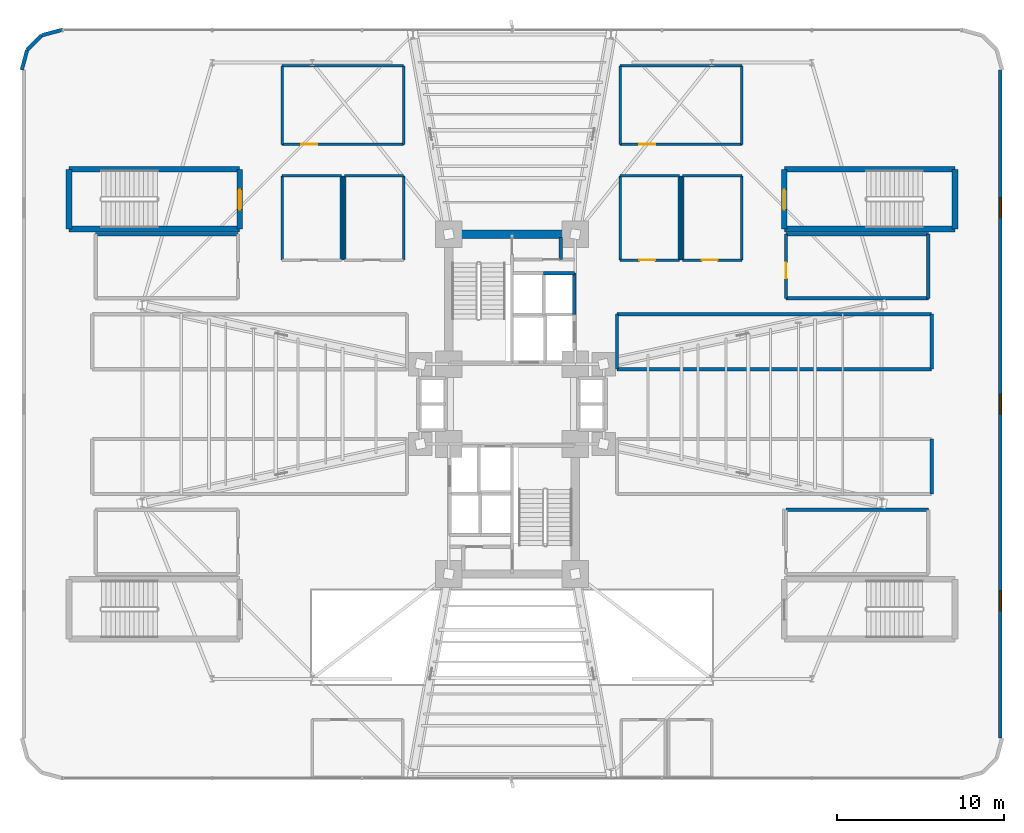
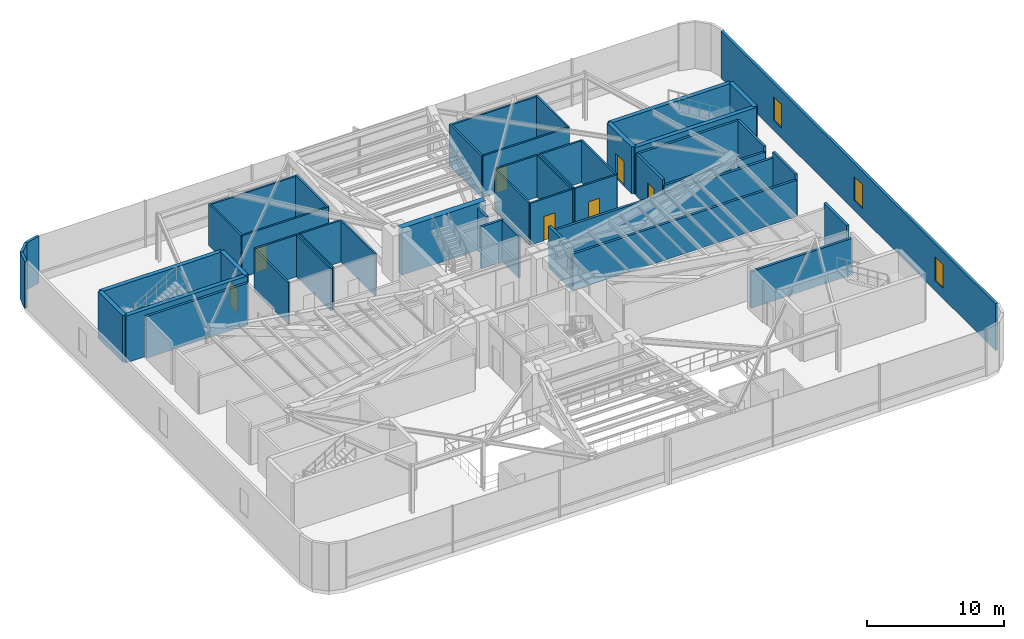
# One storey, part 26 of 32: 51 walls, 7 doors, 3 windows, 10 openings.
"""IFC4 building model written with IfcOpenShell, lengths in metres."""

import ifcopenshell
import ifcopenshell.guid

model = None  # the IFC model being written
_history = None  # IfcOwnerHistory: only IFC2X3 demands one
_inside = {}  # id of a spatial element -> (the spatial element, [elements in it])
_under = {}  # id of a project, library or spatial element -> (it, [spatial elements below it])
_declared = {}  # id of a project -> (the project, [libraries it declares])
_typed = {}  # id of a type object -> (the type object, [elements of that type])
_made_of = {}  # id of a material, layer set ... -> (it, [elements and type objects made of it])


def new_model(schema):
    """Start an empty IFC model of exactly this schema.

    Asked for "IFC4X3", IfcOpenShell would pick the latest addendum, in which some entities
    have other attributes; the version numbers below select the first issue.
    IFC2X3 requires an IfcOwnerHistory on every rooted entity: one is made here for all.
    """
    global model, _history
    if schema == "IFC4X3":
        model = ifcopenshell.file(schema_version=(4, 3, 0, 0))
    else:
        model = ifcopenshell.file(schema=schema)
    _inside.clear()
    _under.clear()
    _declared.clear()
    _typed.clear()
    _made_of.clear()
    _history = None
    if model.schema == "IFC2X3":
        org = make("IfcOrganization", Name="unknown")
        user = make(
            "IfcPersonAndOrganization",
            ThePerson=make("IfcPerson", FamilyName="unknown"),
            TheOrganization=org,
        )
        app = make(
            "IfcApplication",
            ApplicationDeveloper=org,
            Version="unknown",
            ApplicationFullName="unknown",
            ApplicationIdentifier="unknown",
        )
        _history = make(
            "IfcOwnerHistory",
            OwningUser=user,
            OwningApplication=app,
            ChangeAction="ADDED",
            CreationDate=0,
        )
    return model


def make(cls, **values):
    """One entity of the class cls with the attributes given. An attribute that is None is left unset."""
    return model.create_entity(
        cls, **{name: value for name, value in values.items() if value is not None}
    )


def rooted(cls, **values):
    """An entity with a GlobalId (a new one), such as an element, a storey or a relation."""
    return make(cls, GlobalId=ifcopenshell.guid.new(), OwnerHistory=_history, **values)


def si_unit(unit_type, name, prefix=None):
    """IfcSIUnit, for example si_unit("LENGTHUNIT", "METRE", prefix="MILLI")."""
    return make("IfcSIUnit", UnitType=unit_type, Prefix=prefix, Name=name)


def assignment(units):
    """IfcUnitAssignment: the units of a project."""
    return None if units is None else make("IfcUnitAssignment", Units=units)


def point(xyz):
    """IfcCartesianPoint."""
    return None if xyz is None else make("IfcCartesianPoint", Coordinates=xyz)


def direction(xyz):
    """IfcDirection."""
    return None if xyz is None else make("IfcDirection", DirectionRatios=xyz)


def frame(location, z_axis=None, x_axis=None):
    """IfcAxis2Placement3D, a coordinate frame: its origin and axes. An axis left out is left unset."""
    return make(
        "IfcAxis2Placement3D",
        Location=point(location),
        Axis=direction(z_axis),
        RefDirection=direction(x_axis),
    )


def frame_2d(location, x_axis=None):
    """IfcAxis2Placement2D, a coordinate frame in the plane: its origin and x axis."""
    return make(
        "IfcAxis2Placement2D", Location=point(location), RefDirection=direction(x_axis)
    )


def origin():
    """The frame at (0, 0, 0) with its axes left unset."""
    return frame((0.0, 0.0, 0.0))


def origin_2d():
    """The frame at (0, 0) in the plane with its x axis left unset."""
    return frame_2d((0.0, 0.0))


def place(relative_to, where):
    """IfcLocalPlacement: puts the frame where relative to a parent placement (None: the world)."""
    return make(
        "IfcLocalPlacement", PlacementRelTo=relative_to, RelativePlacement=where
    )


def context(
    kind, dimensions, precision=None, world=None, true_north=None, identifier=None
):
    """IfcGeometricRepresentationContext, for example the 3D "Model" context."""
    return make(
        "IfcGeometricRepresentationContext",
        ContextIdentifier=identifier,
        ContextType=kind,
        CoordinateSpaceDimension=dimensions,
        Precision=precision,
        WorldCoordinateSystem=world,
        TrueNorth=true_north,
    )


def subcontext(parent, identifier, kind, view, scale=None):
    """IfcGeometricRepresentationSubContext, for example "Body" below "Model"."""
    return make(
        "IfcGeometricRepresentationSubContext",
        ContextIdentifier=identifier,
        ContextType=kind,
        ParentContext=parent,
        TargetScale=scale,
        TargetView=view,
    )


def project(units=None, contexts=None):
    """IfcProject with its units and contexts."""
    return rooted(
        "IfcProject",
        Name="project",
        RepresentationContexts=contexts,
        UnitsInContext=assignment(units),
    )


def spatial(cls, under=None, at=None, **own):
    """A site, building, storey or space (cls), placed at a placement, below another one or the project."""
    s = rooted(cls, ObjectPlacement=at, **own)
    if under is not None:
        _under.setdefault(under.id(), (under, []))[1].append(s)
    return s


def profile(cls, at=None, kind="AREA", **sizes):
    """A parametric profile (cls). Its sizes go by their IFC names, for example OverallWidth=200.0."""
    return make(cls, ProfileType=kind, Position=at, **sizes)


def rectangle(**sizes):
    """IfcRectangleProfileDef."""
    return profile("IfcRectangleProfileDef", **sizes)


def extrude(swept, where, along, depth):
    """IfcExtrudedAreaSolid: the profile swept, set in the frame where, extruded along a direction by depth."""
    return make(
        "IfcExtrudedAreaSolid",
        SweptArea=swept,
        Position=where,
        ExtrudedDirection=direction(along),
        Depth=depth,
    )


def shape(context_of_items, identifier, shape_type, items):
    """IfcShapeRepresentation: the items that make up one representation, for example the "Body"."""
    return make(
        "IfcShapeRepresentation",
        ContextOfItems=context_of_items,
        RepresentationIdentifier=identifier,
        RepresentationType=shape_type,
        Items=items,
    )


def source(mapping_origin, context_of_items, identifier, shape_type, items):
    """IfcRepresentationMap: a shape defined once, which mapped items show again and again."""
    return make(
        "IfcRepresentationMap",
        MappingOrigin=mapping_origin,
        MappedRepresentation=shape(context_of_items, identifier, shape_type, items),
    )


def transform(
    local_origin,
    x_axis=None,
    y_axis=None,
    z_axis=None,
    scale=None,
    scale2=None,
    scale3=None,
    uniform=True,
):
    """IfcCartesianTransformationOperator3D, or its non-uniform kind. x_axis, y_axis, z_axis: its Axis1, 2, 3."""
    if uniform:
        return make(
            "IfcCartesianTransformationOperator3D",
            Axis1=direction(x_axis),
            Axis2=direction(y_axis),
            LocalOrigin=point(local_origin),
            Scale=scale,
            Axis3=direction(z_axis),
        )
    return make(
        "IfcCartesianTransformationOperator3DnonUniform",
        Axis1=direction(x_axis),
        Axis2=direction(y_axis),
        LocalOrigin=point(local_origin),
        Scale=scale,
        Axis3=direction(z_axis),
        Scale2=scale2,
        Scale3=scale3,
    )


def mapped(mapping_source, mapping_target):
    """IfcMappedItem: shows the shape of a source again, moved by a transform."""
    return make(
        "IfcMappedItem", MappingSource=mapping_source, MappingTarget=mapping_target
    )


def material(Name=None, Category=None):
    """IfcMaterial."""
    return make("IfcMaterial", Name=Name, Category=Category)


def layer(
    of_material, thickness, ventilated=None, Name=None, Category=None, Priority=None
):
    """IfcMaterialLayer: one layer of a wall or slab, of a material (None: an air gap)."""
    return make(
        "IfcMaterialLayer",
        Material=of_material,
        LayerThickness=thickness,
        IsVentilated=ventilated,
        Name=Name,
        Category=Category,
        Priority=Priority,
    )


def layer_set(layers, Name=None):
    """IfcMaterialLayerSet."""
    return make("IfcMaterialLayerSet", MaterialLayers=layers, LayerSetName=Name)


def made_of(thing, what):
    """Note that an element or type object is made of a material, layer set ...; save() writes the relation."""
    if what is not None:
        _made_of.setdefault(what.id(), (what, []))[1].append(thing)
    return thing


def type_object(cls, material=None, **own):
    """A type object (cls), such as IfcWallType, which elements share."""
    return made_of(rooted(cls, **own), material)


def element(
    cls,
    number,
    at=None,
    inside=None,
    cuts=None,
    type_object=None,
    material=None,
    context=None,
    identifier="Body",
    shape_type=None,
    held_by="IfcProductDefinitionShape",
    body=None,
    shapes=None,
    **own,
):
    """One element of the class cls, such as IfcWall. Its Tag is "e" and its number.

    at: its placement. inside: the storey or other place that contains it. cuts: it is an
    opening in that element (IfcRelVoidsElement). A single representation is given by context,
    identifier, shape_type and body (its items); several are given by shapes. held_by: the class
    of the entity that holds the representations. save() writes the other relations.
    """
    e = rooted(cls, Tag="e%d" % number, ObjectPlacement=at, **own)
    if body is not None:
        shapes = [shape(context, identifier, shape_type, body)]
    if shapes is not None:
        e.Representation = make(held_by, Representations=shapes)
    if inside is not None:
        _inside.setdefault(inside.id(), (inside, []))[1].append(e)
    if cuts is not None:
        rooted(
            "IfcRelVoidsElement", RelatingBuildingElement=cuts, RelatedOpeningElement=e
        )
    if type_object is not None:
        _typed.setdefault(type_object.id(), (type_object, []))[1].append(e)
    return made_of(e, material)


def fill(opening, filler):
    """IfcRelFillsElement: the door or window that sits in an opening."""
    return rooted(
        "IfcRelFillsElement",
        RelatingOpeningElement=opening,
        RelatedBuildingElement=filler,
    )


def aggregate(whole, parts):
    """IfcRelAggregates: a whole, such as a stair, and the parts it consists of."""
    return rooted("IfcRelAggregates", RelatingObject=whole, RelatedObjects=parts)


def save(model, path):
    """Write the relations noted so far, then the file.

    IfcRelAggregates (storeys below a building ...), IfcRelContainedInSpatialStructure (elements
    in a storey), IfcRelDefinesByType, IfcRelAssociatesMaterial and IfcRelDeclares: one each for
    every whole, place, type object, material and project.
    """
    for whole, parts in _under.values():
        aggregate(whole, parts)
    for where, things in _inside.values():
        rooted(
            "IfcRelContainedInSpatialStructure",
            RelatedElements=things,
            RelatingStructure=where,
        )
    for kind, things in _typed.values():
        rooted("IfcRelDefinesByType", RelatedObjects=things, RelatingType=kind)
    for what, things in _made_of.values():
        rooted("IfcRelAssociatesMaterial", RelatedObjects=things, RelatingMaterial=what)
    for by, libraries in _declared.values():
        rooted("IfcRelDeclares", RelatingContext=by, RelatedDefinitions=libraries)
    model.write(path)


model = new_model("IFC4")

# Units and contexts
model_context = context("Model", 3, precision=1e-05, world=origin(), true_north=direction((0.0, 1.0)))
body_context = subcontext(model_context, "Body", "Model", "MODEL_VIEW")
ifc_project = project(units=[si_unit("LENGTHUNIT", "METRE"), si_unit("AREAUNIT", "SQUARE_METRE"), si_unit("VOLUMEUNIT", "CUBIC_METRE"), si_unit("PLANEANGLEUNIT", "RADIAN"), si_unit("MASSUNIT", "GRAM", prefix="KILO")], contexts=[model_context])

# Site, building, storey
site_placement = place(None, origin())
site = spatial("IfcSite", under=ifc_project, at=site_placement, CompositionType="ELEMENT")
building_placement = place(site_placement, origin())
building = spatial("IfcBuilding", under=site, at=building_placement, Name="Sahyath Konkavel Grand Hotel", CompositionType="ELEMENT")
storey_placement = place(building_placement, frame((0.0, 0.0, 14.10009765625)))
storey = spatial("IfcBuildingStorey", under=building, at=storey_placement, Name="L03", CompositionType="ELEMENT", Elevation=14.10009765625)

# Walls
ifc_material_1 = material(Name="Concrete C40/50", Category="concrete")
ifc_layer_1 = layer(ifc_material_1, 0.35009765625)
ifc_layer_set_1 = layer_set([ifc_layer_1], Name="Concrete C40/50")
wall_type_1 = type_object("IfcWallType", Name="CWALL-350", PredefinedType="SHEAR", material=ifc_layer_set_1)
for number, where, z_axis, x_axis, name in (
    (1, (-26.60009765625, 14.10009765625, 0.0), (0.0, 0.0, 1.0), (1.0, 0.0, 0.0), "L03 Partition ST-P1-N"),
    (2, (-26.60009765625, 10.52001953125, 0.0), (0.0, 0.0, 1.0), (1.0, 0.0, 0.0), "L03 Partition ST-P1-S"),
):
    element("IfcWall", number, at=place(storey_placement, frame(where, z_axis=z_axis, x_axis=x_axis)), inside=storey, type_object=wall_type_1, Name=name, PredefinedType="SHEAR", context=body_context, shape_type="SweptSolid", body=[
        extrude(rectangle(XDim=10.25, YDim=0.35009765625, at=frame_2d((5.125, 0.0))), origin(), (0.0, 0.0, 1.0), 4.179931640625),
    ])
wall_1_placement = place(storey_placement, frame((-26.60009765625, 10.52001953125, 0.0), z_axis=(0.0, 0.0, 1.0), x_axis=(0.0, 1.0, 0.0)))
element("IfcWall", 3, at=wall_1_placement, inside=storey, type_object=wall_type_1, Name="L03 Partition ST-P1-W", PredefinedType="SHEAR", context=body_context, shape_type="SweptSolid", body=[
    extrude(rectangle(XDim=3.580078125, YDim=0.35009765625, at=frame_2d((1.7900390625, 0.0))), origin(), (0.0, 0.0, 1.0), 4.179931640625),
])

# Wall, opening, door
wall_2_placement = place(storey_placement, frame((-16.35009765625, 10.52001953125, 0.0), z_axis=(0.0, 0.0, 1.0), x_axis=(0.0, 1.0, 0.0)))
wall_2 = element("IfcWall", 4, at=wall_2_placement, inside=storey, type_object=wall_type_1, Name="L03 Partition ST-P1-E", PredefinedType="SHEAR", context=body_context, shape_type="SweptSolid", body=[
    extrude(rectangle(XDim=3.580078125, YDim=0.35009765625, at=frame_2d((1.7900390625, 0.0))), origin(), (0.0, 0.0, 1.0), 4.179931640625),
])
opening_1_placement = place(wall_2_placement, frame((1.14990234375, 0.0, 0.0)))
opening_1 = element("IfcOpeningElement", 5, at=opening_1_placement, cuts=wall_2, Name="Opening D-F12A", PredefinedType="OPENING", context=body_context, shape_type="SweptSolid", body=[
    extrude(rectangle(XDim=1.199951171875, YDim=2.199951171875, at=frame_2d((0.60009765625, 1.10009765625))), frame((0.0, 0.18505859375, 0.0), z_axis=(0.0, -1.0, 0.0), x_axis=(1.0, 0.0, 0.0)), (0.0, 0.0, 1.0), 0.3701171875),
])
ifc_material_2 = material(Name="Steel E350 Fire Door", Category="steel")
door_type_1 = type_object("IfcDoorType", Name="DR-FD120-1200", OperationType="NOTDEFINED", PredefinedType="DOOR", material=ifc_material_2)
shared_shape_1 = source(origin(), body_context, "Body", "SweptSolid", [
    extrude(rectangle(XDim=1.199951171875, YDim=0.050048828125, at=origin_2d()), origin(), (0.0, 0.0, 1.0), 2.199951171875),
])
door_1_placement = place(opening_1_placement, frame((0.60009765625, 0.0, 0.0)))
door_1 = element("IfcDoor", 6, at=door_1_placement, inside=storey, type_object=door_type_1, Name="L03 ST-P1 Fire Door", OperationType="SINGLE_SWING_LEFT", OverallHeight=2.199951171875, OverallWidth=1.199951171875, PredefinedType="DOOR", context=body_context, shape_type="MappedRepresentation", body=[
    mapped(shared_shape_1, transform((0.0, 0.0, 0.0), scale=1.0)),
])
fill(opening_1, door_1)

# Walls
for number, where, z_axis, x_axis, name in (
    (7, (16.35009765625, 14.10009765625, 0.0), (0.0, 0.0, 1.0), (1.0, 0.0, 0.0), "L03 Partition ST-P2-N"),
    (8, (16.35009765625, 10.52001953125, 0.0), (0.0, 0.0, 1.0), (1.0, 0.0, 0.0), "L03 Partition ST-P2-S"),
):
    element("IfcWall", number, at=place(storey_placement, frame(where, z_axis=z_axis, x_axis=x_axis)), inside=storey, type_object=wall_type_1, Name=name, PredefinedType="SHEAR", context=body_context, shape_type="SweptSolid", body=[
        extrude(rectangle(XDim=10.25, YDim=0.35009765625, at=frame_2d((5.125, 0.0))), origin(), (0.0, 0.0, 1.0), 4.179931640625),
    ])

# Wall, opening, door
wall_3_placement = place(storey_placement, frame((16.35009765625, 10.52001953125, 0.0), z_axis=(0.0, 0.0, 1.0), x_axis=(0.0, 1.0, 0.0)))
wall_3 = element("IfcWall", 9, at=wall_3_placement, inside=storey, type_object=wall_type_1, Name="L03 Partition ST-P2-W", PredefinedType="SHEAR", context=body_context, shape_type="SweptSolid", body=[
    extrude(rectangle(XDim=3.580078125, YDim=0.35009765625, at=frame_2d((1.7900390625, 0.0))), origin(), (0.0, 0.0, 1.0), 4.179931640625),
])
opening_2_placement = place(wall_3_placement, frame((1.14990234375, 0.0, 0.0)))
opening_2 = element("IfcOpeningElement", 10, at=opening_2_placement, cuts=wall_3, Name="Opening D-F12A", PredefinedType="OPENING", context=body_context, shape_type="SweptSolid", body=[
    extrude(rectangle(XDim=1.199951171875, YDim=2.199951171875, at=frame_2d((0.60009765625, 1.10009765625))), frame((0.0, 0.18505859375, 0.0), z_axis=(0.0, -1.0, 0.0), x_axis=(1.0, 0.0, 0.0)), (0.0, 0.0, 1.0), 0.3701171875),
])
door_2_placement = place(opening_2_placement, frame((0.60009765625, 0.0, 0.0)))
door_2 = element("IfcDoor", 11, at=door_2_placement, inside=storey, type_object=door_type_1, Name="L03 ST-P2 Fire Door", OperationType="SINGLE_SWING_RIGHT", OverallHeight=2.199951171875, OverallWidth=1.199951171875, PredefinedType="DOOR", context=body_context, shape_type="MappedRepresentation", body=[
    mapped(shared_shape_1, transform((0.0, 0.0, 0.0), scale=1.0)),
])
fill(opening_2, door_2)

# Walls
wall_4_placement = place(storey_placement, frame((26.60009765625, 10.52001953125, 0.0), z_axis=(0.0, 0.0, 1.0), x_axis=(0.0, 1.0, 0.0)))
element("IfcWall", 12, at=wall_4_placement, inside=storey, type_object=wall_type_1, Name="L03 Partition ST-P2-E", PredefinedType="SHEAR", context=body_context, shape_type="SweptSolid", body=[
    extrude(rectangle(XDim=3.580078125, YDim=0.35009765625, at=frame_2d((1.7900390625, 0.0))), origin(), (0.0, 0.0, 1.0), 4.179931640625),
])
ifc_material_3 = material(Name="Concrete C70/85", Category="concrete")
ifc_layer_2 = layer(ifc_material_3, 0.5)
ifc_layer_set_2 = layer_set([ifc_layer_2], Name="Concrete C70/85")
wall_type_2 = type_object("IfcWallType", Name="CWALL-500", PredefinedType="SHEAR", material=ifc_layer_set_2)
wall_5_placement = place(storey_placement, frame((-3.550048828125, 10.199951171875, 0.0), z_axis=(0.0, 0.0, 1.0), x_axis=(1.0, 0.0, 0.0)))
element("IfcWall", 13, at=wall_5_placement, inside=storey, type_object=wall_type_2, Name="L03 North Core Shear Wall N", PredefinedType="SHEAR", context=body_context, shape_type="SweptSolid", body=[
    extrude(rectangle(XDim=7.10009765625, YDim=0.5, at=frame_2d((3.550048828125, 0.0))), origin(), (0.0, 0.0, 1.0), 4.179931640625),
])
ifc_material_4 = material(Name="Warm Buff Sandstone Insulated Concrete C40/50", Category="masonry")
ifc_layer_3 = layer(ifc_material_4, 0.219970703125)
ifc_layer_set_3 = layer_set([ifc_layer_3], Name="Warm Buff Sandstone Insulated Concrete C40/50")
wall_type_3 = type_object("IfcWallType", Name="WLL-BALC-THRESH", PredefinedType="STANDARD", material=ifc_layer_set_3)
for number, where, z_axis, x_axis, name in (
    (14, (-27.035888671875, 22.465087890625, 0.0), (0.0, 0.0, 1.0), (-0.965937527666, -0.25877537102, 0.0), "L03 Rounded Podium Corner Sandstone Pier 8"),
    (15, (-28.236083984375, 22.1435546875, 0.0), (0.0, 0.0, 1.0), (-0.707008524149, -0.707205024573, 0.0), "L03 Rounded Podium Corner Sandstone Pier 9"),
):
    element("IfcWall", number, at=place(storey_placement, frame(where, z_axis=z_axis, x_axis=x_axis)), inside=storey, type_object=wall_type_3, Name=name, PredefinedType="STANDARD", context=body_context, shape_type="SweptSolid", body=[
        extrude(rectangle(XDim=1.242431640625, YDim=0.219970703125, at=frame_2d((0.62109375, 0.0))), origin(), (0.0, 0.0, 1.0), 4.179931640625),
    ])
wall_6_placement = place(storey_placement, frame((-29.114501953125, 21.264892578125, 0.0), z_axis=(0.0, 0.0, 1.0), x_axis=(-0.258824494443, -0.965924366126, 0.0)))
element("IfcWall", 16, at=wall_6_placement, inside=storey, type_object=wall_type_3, Name="L03 Rounded Podium Corner Sandstone Pier 10", PredefinedType="STANDARD", context=body_context, shape_type="SweptSolid", body=[
    extrude(rectangle(XDim=1.2421875, YDim=0.219970703125, at=frame_2d((0.62109375, 0.0))), origin(), (0.0, 0.0, 1.0), 4.179931640625),
])

# Wall, openings, windows
wall_7_placement = place(storey_placement, frame((29.325927734375, -20.06494140625, 0.0), z_axis=(0.0, 0.0, 1.0), x_axis=(0.0, 1.0, 0.0)))
wall_7 = element("IfcWall", 17, at=wall_7_placement, inside=storey, type_object=wall_type_3, Name="L03 Sandstone Podium Facade Wall E", PredefinedType="STANDARD", context=body_context, shape_type="SweptSolid", body=[
    extrude(rectangle(XDim=40.1298828125, YDim=0.219970703125, at=frame_2d((20.06494140625, 0.0))), origin(), (0.0, 0.0, 1.0), 4.179931640625),
])
opening_3_placement = place(wall_7_placement, frame((7.6650390625, 0.0, 0.89990234375)))
opening_3 = element("IfcOpeningElement", 18, at=opening_3_placement, cuts=wall_7, Name="Opening W-PD2", PredefinedType="OPENING", context=body_context, shape_type="SweptSolid", body=[
    extrude(rectangle(XDim=1.199951171875, YDim=2.10009765625, at=frame_2d((0.60009765625, 1.050048828125))), frame((0.0, 0.1201171875, 0.0), z_axis=(0.0, -1.0, 0.0), x_axis=(1.0, 0.0, 0.0)), (0.0, 0.0, 1.0), 0.239990234375),
])
opening_4_placement = place(wall_7_placement, frame((19.465087890625, 0.0, 0.89990234375)))
opening_4 = element("IfcOpeningElement", 19, at=opening_4_placement, cuts=wall_7, Name="Opening W-PD2", PredefinedType="OPENING", context=body_context, shape_type="SweptSolid", body=[
    extrude(rectangle(XDim=1.199951171875, YDim=2.10009765625, at=frame_2d((0.60009765625, 1.050048828125))), frame((0.0, 0.1201171875, 0.0), z_axis=(0.0, -1.0, 0.0), x_axis=(1.0, 0.0, 0.0)), (0.0, 0.0, 1.0), 0.239990234375),
])
opening_5_placement = place(wall_7_placement, frame((31.264892578125, 0.0, 0.89990234375)))
opening_5 = element("IfcOpeningElement", 20, at=opening_5_placement, cuts=wall_7, Name="Opening W-PD2", PredefinedType="OPENING", context=body_context, shape_type="SweptSolid", body=[
    extrude(rectangle(XDim=1.199951171875, YDim=2.10009765625, at=frame_2d((0.60009765625, 1.050048828125))), frame((0.0, 0.1201171875, 0.0), z_axis=(0.0, -1.0, 0.0), x_axis=(1.0, 0.0, 0.0)), (0.0, 0.0, 1.0), 0.239990234375),
])
ifc_material_5 = material(Name="Anodised Bronze Aluminium & Low-E Glazing", Category="aluminium")
window_type = type_object("IfcWindowType", Name="WIN-POD-1200", PartitioningType="SINGLE_PANEL", PredefinedType="WINDOW", material=ifc_material_5)
shared_shape_2 = source(origin(), body_context, "Body", "SweptSolid", [
    extrude(rectangle(XDim=1.199951171875, YDim=0.06005859375, at=origin_2d()), origin(), (0.0, 0.0, 1.0), 2.10009765625),
])
window_1_placement = place(opening_3_placement, frame((0.60009765625, 0.0, 0.0)))
window_1 = element("IfcWindow", 21, at=window_1_placement, inside=storey, type_object=window_type, Name="L03 Podium Window E-1", OverallHeight=2.10009765625, OverallWidth=1.199951171875, PartitioningType="SINGLE_PANEL", PredefinedType="WINDOW", context=body_context, shape_type="MappedRepresentation", body=[
    mapped(shared_shape_2, transform((0.0, 0.0, 0.0), scale=1.0)),
])
fill(opening_3, window_1)
window_2_placement = place(opening_4_placement, frame((0.60009765625, 0.0, 0.0)))
window_2 = element("IfcWindow", 22, at=window_2_placement, inside=storey, type_object=window_type, Name="L03 Podium Window E-2", OverallHeight=2.10009765625, OverallWidth=1.199951171875, PartitioningType="SINGLE_PANEL", PredefinedType="WINDOW", context=body_context, shape_type="MappedRepresentation", body=[
    mapped(shared_shape_2, transform((0.0, 0.0, 0.0), scale=1.0)),
])
fill(opening_4, window_2)
window_3_placement = place(opening_5_placement, frame((0.60009765625, 0.0, 0.0)))
window_3 = element("IfcWindow", 23, at=window_3_placement, inside=storey, type_object=window_type, Name="L03 Podium Window E-3", OverallHeight=2.10009765625, OverallWidth=1.199951171875, PartitioningType="SINGLE_PANEL", PredefinedType="WINDOW", context=body_context, shape_type="MappedRepresentation", body=[
    mapped(shared_shape_2, transform((0.0, 0.0, 0.0), scale=1.0)),
])
fill(opening_5, window_3)

# Walls
ifc_layer_4 = layer(ifc_material_1, 0.199951171875)
ifc_layer_set_4 = layer_set([ifc_layer_4], Name="Concrete C40/50")
wall_type_4 = type_object("IfcWallType", Name="WLL-CORE-200", PredefinedType="SOLIDWALL", material=ifc_layer_set_4)
wall_8_placement = place(storey_placement, frame((3.739990234375, 5.3798828125, 0.0), z_axis=(0.0, 0.0, 1.0), x_axis=(0.0, 1.0, 0.0)))
element("IfcWall", 24, at=wall_8_placement, inside=storey, type_object=wall_type_4, Name="L03 Partition SH-PL2-E", PredefinedType="SOLIDWALL", context=body_context, shape_type="SweptSolid", body=[
    extrude(rectangle(XDim=2.480224609375, YDim=0.199951171875, at=frame_2d((1.240234375, 0.0))), origin(), (0.0, 0.0, 1.0), 3.72998046875),
])
wall_9_placement = place(storey_placement, frame((1.89990234375, 7.860107421875, 0.0), z_axis=(0.0, 0.0, 1.0), x_axis=(1.0, 0.0, 0.0)))
element("IfcWall", 25, at=wall_9_placement, inside=storey, type_object=wall_type_4, Name="L03 Partition SH-PL2-N", PredefinedType="SOLIDWALL", context=body_context, shape_type="SweptSolid", body=[
    extrude(rectangle(XDim=1.840087890625, YDim=0.199951171875, at=frame_2d((0.919921875, 0.0))), origin(), (0.0, 0.0, 1.0), 3.72998046875),
])
wall_10_placement = place(storey_placement, frame((2.919921875, 8.679931640625, 0.0), z_axis=(0.0, 0.0, 1.0), x_axis=(0.0, 1.0, 0.0)))
element("IfcWall", 26, at=wall_10_placement, inside=storey, type_object=wall_type_4, Name="L03 Partition NFF-E2", PredefinedType="SOLIDWALL", context=body_context, shape_type="SweptSolid", body=[
    extrude(rectangle(XDim=1.320068359375, YDim=0.199951171875, at=frame_2d((0.66015625, 0.0))), origin(), (0.0, 0.0, 1.0), 3.72998046875),
])
for number, where, z_axis, x_axis, name in (
    (27, (6.300048828125, 5.39990234375, 0.0), (0.0, 0.0, 1.0), (1.0, 0.0, 0.0), "L03 Partition L03-TPL-NE-N"),
    (28, (6.300048828125, 2.10009765625, 0.0), (0.0, 0.0, 1.0), (1.0, 0.0, 0.0), "L03 Partition L03-TPL-NE-S"),
):
    element("IfcWall", number, at=place(storey_placement, frame(where, z_axis=z_axis, x_axis=x_axis)), inside=storey, type_object=wall_type_4, Name=name, PredefinedType="SOLIDWALL", context=body_context, shape_type="SweptSolid", body=[
        extrude(rectangle(XDim=18.89990234375, YDim=0.199951171875, at=frame_2d((9.449951171875, 0.0))), origin(), (0.0, 0.0, 1.0), 3.25),
    ])
for number, where, z_axis, x_axis, name in (
    (29, (6.300048828125, 2.10009765625, 0.0), (0.0, 0.0, 1.0), (0.0, 1.0, 0.0), "L03 Partition L03-TPL-NE-W"),
    (30, (25.199951171875, 2.10009765625, 0.0), (0.0, 0.0, 1.0), (0.0, 1.0, 0.0), "L03 Partition L03-TPL-NE-E"),
    (31, (25.199951171875, -5.39990234375, 0.0), (0.0, 0.0, 1.0), (0.0, 1.0, 0.0), "L03 Partition L03-TPL-SE-E"),
):
    element("IfcWall", number, at=place(storey_placement, frame(where, z_axis=z_axis, x_axis=x_axis)), inside=storey, type_object=wall_type_4, Name=name, PredefinedType="SOLIDWALL", context=body_context, shape_type="SweptSolid", body=[
        extrude(rectangle(XDim=3.2998046875, YDim=0.199951171875, at=frame_2d((1.64990234375, 0.0))), origin(), (0.0, 0.0, 1.0), 3.72998046875),
    ])
for number, where, z_axis, x_axis, name in (
    (32, (-25.0, 10.199951171875, 0.0), (0.0, 0.0, 1.0), (1.0, 0.0, 0.0), "L03 Partition L03-AHU-W-N"),
    (33, (16.449951171875, 10.199951171875, 0.0), (0.0, 0.0, 1.0), (1.0, 0.0, 0.0), "L03 Partition L03-AHU-E-N"),
):
    element("IfcWall", number, at=place(storey_placement, frame(where, z_axis=z_axis, x_axis=x_axis)), inside=storey, type_object=wall_type_4, Name=name, PredefinedType="SOLIDWALL", context=body_context, shape_type="SweptSolid", body=[
        extrude(rectangle(XDim=8.550048828125, YDim=0.199951171875, at=frame_2d((4.27490234375, 0.0))), origin(), (0.0, 0.0, 1.0), 3.72998046875),
    ])
wall_11_placement = place(storey_placement, frame((16.449951171875, 6.35009765625, 0.0), z_axis=(0.0, 0.0, 1.0), x_axis=(1.0, 0.0, 0.0)))
element("IfcWall", 34, at=wall_11_placement, inside=storey, type_object=wall_type_4, Name="L03 Partition L03-AHU-E-S", PredefinedType="SOLIDWALL", context=body_context, shape_type="SweptSolid", body=[
    extrude(rectangle(XDim=8.550048828125, YDim=0.199951171875, at=frame_2d((4.27490234375, 0.0))), origin(), (0.0, 0.0, 1.0), 3.25),
])

# Wall, opening, door
wall_12_placement = place(storey_placement, frame((16.449951171875, 6.35009765625, 0.0), z_axis=(0.0, 0.0, 1.0), x_axis=(0.0, 1.0, 0.0)))
wall_12 = element("IfcWall", 35, at=wall_12_placement, inside=storey, type_object=wall_type_4, Name="L03 Partition L03-AHU-E-W", PredefinedType="SOLIDWALL", context=body_context, shape_type="SweptSolid", body=[
    extrude(rectangle(XDim=3.849853515625, YDim=0.199951171875, at=frame_2d((1.9248046875, 0.0))), origin(), (0.0, 0.0, 1.0), 3.72998046875),
])
opening_6_placement = place(wall_12_placement, frame((1.199951171875, 0.0, 0.0)))
opening_6 = element("IfcOpeningElement", 36, at=opening_6_placement, cuts=wall_12, Name="Opening D-F12C", PredefinedType="OPENING", context=body_context, shape_type="SweptSolid", body=[
    extrude(rectangle(XDim=0.949951171875, YDim=2.14990234375, at=frame_2d((0.47509765625, 1.074951171875))), frame((0.0, 0.10986328125, 0.0), z_axis=(0.0, -1.0, 0.0), x_axis=(1.0, 0.0, 0.0)), (0.0, 0.0, 1.0), 0.219970703125),
])
ifc_material_6 = material(Name="Steel E350 Plant Fire Door", Category="steel")
door_type_2 = type_object("IfcDoorType", Name="DR-FD120-950", OperationType="NOTDEFINED", PredefinedType="DOOR", material=ifc_material_6)
shared_shape_3 = source(origin(), body_context, "Body", "SweptSolid", [
    extrude(rectangle(XDim=0.949951171875, YDim=0.050048828125, at=origin_2d()), origin(), (0.0, 0.0, 1.0), 2.14990234375),
])
door_3_placement = place(opening_6_placement, frame((0.47509765625, 0.0, 0.0)))
door_3 = element("IfcDoor", 37, at=door_3_placement, inside=storey, type_object=door_type_2, Name="L03 Door L03-AHU-E-D", OperationType="SINGLE_SWING_RIGHT", OverallHeight=2.14990234375, OverallWidth=0.949951171875, PredefinedType="DOOR", context=body_context, shape_type="MappedRepresentation", body=[
    mapped(shared_shape_3, transform((0.0, 0.0, 0.0), scale=1.0)),
])
fill(opening_6, door_3)

# Walls
wall_13_placement = place(storey_placement, frame((25.0, 6.35009765625, 0.0), z_axis=(0.0, 0.0, 1.0), x_axis=(0.0, 1.0, 0.0)))
element("IfcWall", 38, at=wall_13_placement, inside=storey, type_object=wall_type_4, Name="L03 Partition L03-AHU-E-E", PredefinedType="SOLIDWALL", context=body_context, shape_type="SweptSolid", body=[
    extrude(rectangle(XDim=3.849853515625, YDim=0.199951171875, at=frame_2d((1.9248046875, 0.0))), origin(), (0.0, 0.0, 1.0), 3.72998046875),
])
wall_14_placement = place(storey_placement, frame((16.449951171875, -6.35009765625, 0.0), z_axis=(0.0, 0.0, 1.0), x_axis=(1.0, 0.0, 0.0)))
element("IfcWall", 39, at=wall_14_placement, inside=storey, type_object=wall_type_4, Name="L03 Partition L03-SWG-E-N", PredefinedType="SOLIDWALL", context=body_context, shape_type="SweptSolid", body=[
    extrude(rectangle(XDim=8.550048828125, YDim=0.199951171875, at=frame_2d((4.27490234375, 0.0))), origin(), (0.0, 0.0, 1.0), 3.25),
])
ifc_material_7 = material(Name="Acoustic Timber Veneer Operable Partition", Category="wood")
ifc_layer_5 = layer(ifc_material_7, 0.1201171875)
ifc_layer_set_5 = layer_set([ifc_layer_5], Name="Acoustic Timber Veneer Operable Partition")
wall_type_5 = type_object("IfcWallType", Name="WLL-MOVABLE-120", PredefinedType="MOVABLE", material=ifc_layer_set_5)
for number, where, z_axis, x_axis, name in (
    (40, (-10.14990234375, 8.64990234375, 0.0), (0.0, 0.0, 1.0), (0.0, 1.0, 0.0), "L03 Partition L03-MOV-1"),
    (41, (10.14990234375, 8.64990234375, 0.0), (0.0, 0.0, 1.0), (0.0, 1.0, 0.0), "L03 Partition L03-MOV-2"),
):
    element("IfcWall", number, at=place(storey_placement, frame(where, z_axis=z_axis, x_axis=x_axis)), inside=storey, type_object=wall_type_5, Name=name, PredefinedType="MOVABLE", context=body_context, shape_type="SweptSolid", body=[
        extrude(rectangle(XDim=5.050048828125, YDim=0.1201171875, at=frame_2d((2.52490234375, 0.0))), origin(), (0.0, 0.0, 1.0), 3.72998046875),
    ])
ifc_material_8 = material(Name="Fire-Rated Gypsum Plasterboard Partition")
ifc_layer_6 = layer(ifc_material_8, 0.14990234375)
ifc_layer_set_6 = layer_set([ifc_layer_6], Name="Fire-Rated Gypsum Plasterboard Partition")
wall_type_6 = type_object("IfcWallType", Name="WLL-PART-150", PredefinedType="PARTITIONING", material=ifc_layer_set_6)
wall_15_placement = place(storey_placement, frame((-13.800048828125, 20.300048828125, 0.0), z_axis=(0.0, 0.0, 1.0), x_axis=(1.0, 0.0, 0.0)))
element("IfcWall", 42, at=wall_15_placement, inside=storey, type_object=wall_type_6, Name="L03 Partition L03-BRD-1-N", PredefinedType="PARTITIONING", context=body_context, shape_type="SweptSolid", body=[
    extrude(rectangle(XDim=7.300048828125, YDim=0.14990234375, at=frame_2d((3.64990234375, 0.0))), origin(), (0.0, 0.0, 1.0), 3.64990234375),
])

# Wall, opening, door
wall_16_placement = place(storey_placement, frame((-13.800048828125, 15.60009765625, 0.0), z_axis=(0.0, 0.0, 1.0), x_axis=(1.0, 0.0, 0.0)))
wall_16 = element("IfcWall", 43, at=wall_16_placement, inside=storey, type_object=wall_type_6, Name="L03 Partition L03-BRD-1-S", PredefinedType="PARTITIONING", context=body_context, shape_type="SweptSolid", body=[
    extrude(rectangle(XDim=7.300048828125, YDim=0.14990234375, at=frame_2d((3.64990234375, 0.0))), origin(), (0.0, 0.0, 1.0), 3.72998046875),
])
opening_7_placement = place(wall_16_placement, frame((1.14990234375, 0.0, 0.0)))
opening_7 = element("IfcOpeningElement", 44, at=opening_7_placement, cuts=wall_16, Name="Opening D-F06B", PredefinedType="OPENING", context=body_context, shape_type="SweptSolid", body=[
    extrude(rectangle(XDim=0.949951171875, YDim=2.14990234375, at=frame_2d((0.47509765625, 1.074951171875))), frame((0.0, 0.0849609375, 0.0), z_axis=(0.0, -1.0, 0.0), x_axis=(1.0, 0.0, 0.0)), (0.0, 0.0, 1.0), 0.169921875),
])
ifc_material_9 = material(Name="Teak Veneer Fire-Rated Guest Entrance Door")
door_type_3 = type_object("IfcDoorType", Name="DR-FD60-950", OperationType="NOTDEFINED", PredefinedType="DOOR", material=ifc_material_9)
door_4_placement = place(opening_7_placement, frame((0.47509765625, 0.0, 0.0)))
door_4 = element("IfcDoor", 45, at=door_4_placement, inside=storey, type_object=door_type_3, Name="L03 Door L03-BRD-1-D", OperationType="SINGLE_SWING_LEFT", OverallHeight=2.14990234375, OverallWidth=0.949951171875, PredefinedType="DOOR", context=body_context, shape_type="MappedRepresentation", body=[
    mapped(shared_shape_3, transform((0.0, 0.0, 0.0), scale=1.0)),
])
fill(opening_7, door_4)

# Walls
for number, where, z_axis, x_axis, name in (
    (46, (-13.800048828125, 15.60009765625, 0.0), (0.0, 0.0, 1.0), (0.0, 1.0, 0.0), "L03 Partition L03-BRD-1-W"),
    (47, (-6.5, 15.60009765625, 0.0), (0.0, 0.0, 1.0), (0.0, 1.0, 0.0), "L03 Partition L03-BRD-1-E"),
):
    element("IfcWall", number, at=place(storey_placement, frame(where, z_axis=z_axis, x_axis=x_axis)), inside=storey, type_object=wall_type_6, Name=name, PredefinedType="PARTITIONING", context=body_context, shape_type="SweptSolid", body=[
        extrude(rectangle(XDim=4.699951171875, YDim=0.14990234375, at=frame_2d((2.35009765625, 0.0))), origin(), (0.0, 0.0, 1.0), 3.72998046875),
    ])
wall_17_placement = place(storey_placement, frame((6.5, 20.300048828125, 0.0), z_axis=(0.0, 0.0, 1.0), x_axis=(1.0, 0.0, 0.0)))
element("IfcWall", 48, at=wall_17_placement, inside=storey, type_object=wall_type_6, Name="L03 Partition L03-BRD-2-N", PredefinedType="PARTITIONING", context=body_context, shape_type="SweptSolid", body=[
    extrude(rectangle(XDim=7.300048828125, YDim=0.14990234375, at=frame_2d((3.64990234375, 0.0))), origin(), (0.0, 0.0, 1.0), 3.64990234375),
])

# Wall, opening, door
wall_18_placement = place(storey_placement, frame((6.5, 15.60009765625, 0.0), z_axis=(0.0, 0.0, 1.0), x_axis=(1.0, 0.0, 0.0)))
wall_18 = element("IfcWall", 49, at=wall_18_placement, inside=storey, type_object=wall_type_6, Name="L03 Partition L03-BRD-2-S", PredefinedType="PARTITIONING", context=body_context, shape_type="SweptSolid", body=[
    extrude(rectangle(XDim=7.300048828125, YDim=0.14990234375, at=frame_2d((3.64990234375, 0.0))), origin(), (0.0, 0.0, 1.0), 3.72998046875),
])
opening_8_placement = place(wall_18_placement, frame((1.14990234375, 0.0, 0.0)))
opening_8 = element("IfcOpeningElement", 50, at=opening_8_placement, cuts=wall_18, Name="Opening D-F06B", PredefinedType="OPENING", context=body_context, shape_type="SweptSolid", body=[
    extrude(rectangle(XDim=0.949951171875, YDim=2.14990234375, at=frame_2d((0.47509765625, 1.074951171875))), frame((0.0, 0.0849609375, 0.0), z_axis=(0.0, -1.0, 0.0), x_axis=(1.0, 0.0, 0.0)), (0.0, 0.0, 1.0), 0.169921875),
])
door_5_placement = place(opening_8_placement, frame((0.47509765625, 0.0, 0.0)))
door_5 = element("IfcDoor", 51, at=door_5_placement, inside=storey, type_object=door_type_3, Name="L03 Door L03-BRD-2-D", OperationType="SINGLE_SWING_RIGHT", OverallHeight=2.14990234375, OverallWidth=0.949951171875, PredefinedType="DOOR", context=body_context, shape_type="MappedRepresentation", body=[
    mapped(shared_shape_3, transform((0.0, 0.0, 0.0), scale=1.0)),
])
fill(opening_8, door_5)

# Walls
for number, where, z_axis, x_axis, name in (
    (52, (6.5, 15.60009765625, 0.0), (0.0, 0.0, 1.0), (0.0, 1.0, 0.0), "L03 Partition L03-BRD-2-W"),
    (53, (13.800048828125, 15.60009765625, 0.0), (0.0, 0.0, 1.0), (0.0, 1.0, 0.0), "L03 Partition L03-BRD-2-E"),
):
    element("IfcWall", number, at=place(storey_placement, frame(where, z_axis=z_axis, x_axis=x_axis)), inside=storey, type_object=wall_type_6, Name=name, PredefinedType="PARTITIONING", context=body_context, shape_type="SweptSolid", body=[
        extrude(rectangle(XDim=4.699951171875, YDim=0.14990234375, at=frame_2d((2.35009765625, 0.0))), origin(), (0.0, 0.0, 1.0), 3.72998046875),
    ])
wall_19_placement = place(storey_placement, frame((-13.800048828125, 13.699951171875, 0.0), z_axis=(0.0, 0.0, 1.0), x_axis=(1.0, 0.0, 0.0)))
element("IfcWall", 54, at=wall_19_placement, inside=storey, type_object=wall_type_6, Name="L03 Partition L03-CNF-1-N", PredefinedType="PARTITIONING", context=body_context, shape_type="SweptSolid", body=[
    extrude(rectangle(XDim=3.550048828125, YDim=0.14990234375, at=frame_2d((1.77490234375, 0.0))), origin(), (0.0, 0.0, 1.0), 3.72998046875),
])
for number, where, z_axis, x_axis, name in (
    (55, (-13.800048828125, 8.64990234375, 0.0), (0.0, 0.0, 1.0), (0.0, 1.0, 0.0), "L03 Partition L03-CNF-1-W"),
    (56, (-10.25, 8.64990234375, 0.0), (0.0, 0.0, 1.0), (0.0, 1.0, 0.0), "L03 Partition L03-CNF-1-E"),
):
    element("IfcWall", number, at=place(storey_placement, frame(where, z_axis=z_axis, x_axis=x_axis)), inside=storey, type_object=wall_type_6, Name=name, PredefinedType="PARTITIONING", context=body_context, shape_type="SweptSolid", body=[
        extrude(rectangle(XDim=5.050048828125, YDim=0.14990234375, at=frame_2d((2.52490234375, 0.0))), origin(), (0.0, 0.0, 1.0), 3.72998046875),
    ])
wall_20_placement = place(storey_placement, frame((-10.050048828125, 13.699951171875, 0.0), z_axis=(0.0, 0.0, 1.0), x_axis=(1.0, 0.0, 0.0)))
element("IfcWall", 57, at=wall_20_placement, inside=storey, type_object=wall_type_6, Name="L03 Partition L03-CNF-2-N", PredefinedType="PARTITIONING", context=body_context, shape_type="SweptSolid", body=[
    extrude(rectangle(XDim=3.550048828125, YDim=0.14990234375, at=frame_2d((1.77490234375, 0.0))), origin(), (0.0, 0.0, 1.0), 3.72998046875),
])
for number, where, z_axis, x_axis, name in (
    (58, (-10.050048828125, 8.64990234375, 0.0), (0.0, 0.0, 1.0), (0.0, 1.0, 0.0), "L03 Partition L03-CNF-2-W"),
    (59, (-6.5, 8.64990234375, 0.0), (0.0, 0.0, 1.0), (0.0, 1.0, 0.0), "L03 Partition L03-CNF-2-E"),
):
    element("IfcWall", number, at=place(storey_placement, frame(where, z_axis=z_axis, x_axis=x_axis)), inside=storey, type_object=wall_type_6, Name=name, PredefinedType="PARTITIONING", context=body_context, shape_type="SweptSolid", body=[
        extrude(rectangle(XDim=5.050048828125, YDim=0.14990234375, at=frame_2d((2.52490234375, 0.0))), origin(), (0.0, 0.0, 1.0), 3.72998046875),
    ])
wall_21_placement = place(storey_placement, frame((6.5, 13.699951171875, 0.0), z_axis=(0.0, 0.0, 1.0), x_axis=(1.0, 0.0, 0.0)))
element("IfcWall", 60, at=wall_21_placement, inside=storey, type_object=wall_type_6, Name="L03 Partition L03-CNF-3-N", PredefinedType="PARTITIONING", context=body_context, shape_type="SweptSolid", body=[
    extrude(rectangle(XDim=3.550048828125, YDim=0.14990234375, at=frame_2d((1.77490234375, 0.0))), origin(), (0.0, 0.0, 1.0), 3.72998046875),
])

# Wall, opening, door
wall_22_placement = place(storey_placement, frame((6.5, 8.64990234375, 0.0), z_axis=(0.0, 0.0, 1.0), x_axis=(1.0, 0.0, 0.0)))
wall_22 = element("IfcWall", 61, at=wall_22_placement, inside=storey, type_object=wall_type_6, Name="L03 Partition L03-CNF-3-S", PredefinedType="PARTITIONING", context=body_context, shape_type="SweptSolid", body=[
    extrude(rectangle(XDim=3.550048828125, YDim=0.14990234375, at=frame_2d((1.77490234375, 0.0))), origin(), (0.0, 0.0, 1.0), 3.72998046875),
])
opening_9_placement = place(wall_22_placement, frame((1.14990234375, 0.0, 0.0)))
opening_9 = element("IfcOpeningElement", 62, at=opening_9_placement, cuts=wall_22, Name="Opening D-F06B", PredefinedType="OPENING", context=body_context, shape_type="SweptSolid", body=[
    extrude(rectangle(XDim=0.949951171875, YDim=2.14990234375, at=frame_2d((0.47509765625, 1.074951171875))), frame((0.0, 0.0849609375, 0.0), z_axis=(0.0, -1.0, 0.0), x_axis=(1.0, 0.0, 0.0)), (0.0, 0.0, 1.0), 0.169921875),
])
door_6_placement = place(opening_9_placement, frame((0.47509765625, 0.0, 0.0)))
door_6 = element("IfcDoor", 63, at=door_6_placement, inside=storey, type_object=door_type_3, Name="L03 Door L03-CNF-3-D", OperationType="SINGLE_SWING_LEFT", OverallHeight=2.14990234375, OverallWidth=0.949951171875, PredefinedType="DOOR", context=body_context, shape_type="MappedRepresentation", body=[
    mapped(shared_shape_3, transform((0.0, 0.0, 0.0), scale=1.0)),
])
fill(opening_9, door_6)

# Walls
for number, where, z_axis, x_axis, name in (
    (64, (6.5, 8.64990234375, 0.0), (0.0, 0.0, 1.0), (0.0, 1.0, 0.0), "L03 Partition L03-CNF-3-W"),
    (65, (10.050048828125, 8.64990234375, 0.0), (0.0, 0.0, 1.0), (0.0, 1.0, 0.0), "L03 Partition L03-CNF-3-E"),
):
    element("IfcWall", number, at=place(storey_placement, frame(where, z_axis=z_axis, x_axis=x_axis)), inside=storey, type_object=wall_type_6, Name=name, PredefinedType="PARTITIONING", context=body_context, shape_type="SweptSolid", body=[
        extrude(rectangle(XDim=5.050048828125, YDim=0.14990234375, at=frame_2d((2.52490234375, 0.0))), origin(), (0.0, 0.0, 1.0), 3.72998046875),
    ])
wall_23_placement = place(storey_placement, frame((10.25, 13.699951171875, 0.0), z_axis=(0.0, 0.0, 1.0), x_axis=(1.0, 0.0, 0.0)))
element("IfcWall", 66, at=wall_23_placement, inside=storey, type_object=wall_type_6, Name="L03 Partition L03-CNF-4-N", PredefinedType="PARTITIONING", context=body_context, shape_type="SweptSolid", body=[
    extrude(rectangle(XDim=3.550048828125, YDim=0.14990234375, at=frame_2d((1.77490234375, 0.0))), origin(), (0.0, 0.0, 1.0), 3.72998046875),
])

# Wall, opening, door
wall_24_placement = place(storey_placement, frame((10.25, 8.64990234375, 0.0), z_axis=(0.0, 0.0, 1.0), x_axis=(1.0, 0.0, 0.0)))
wall_24 = element("IfcWall", 67, at=wall_24_placement, inside=storey, type_object=wall_type_6, Name="L03 Partition L03-CNF-4-S", PredefinedType="PARTITIONING", context=body_context, shape_type="SweptSolid", body=[
    extrude(rectangle(XDim=3.550048828125, YDim=0.14990234375, at=frame_2d((1.77490234375, 0.0))), origin(), (0.0, 0.0, 1.0), 3.72998046875),
])
opening_10_placement = place(wall_24_placement, frame((1.14990234375, 0.0, 0.0)))
opening_10 = element("IfcOpeningElement", 68, at=opening_10_placement, cuts=wall_24, Name="Opening D-F06B", PredefinedType="OPENING", context=body_context, shape_type="SweptSolid", body=[
    extrude(rectangle(XDim=0.949951171875, YDim=2.14990234375, at=frame_2d((0.47509765625, 1.074951171875))), frame((0.0, 0.0849609375, 0.0), z_axis=(0.0, -1.0, 0.0), x_axis=(1.0, 0.0, 0.0)), (0.0, 0.0, 1.0), 0.169921875),
])
door_7_placement = place(opening_10_placement, frame((0.47509765625, 0.0, 0.0)))
door_7 = element("IfcDoor", 69, at=door_7_placement, inside=storey, type_object=door_type_3, Name="L03 Door L03-CNF-4-D", OperationType="SINGLE_SWING_RIGHT", OverallHeight=2.14990234375, OverallWidth=0.949951171875, PredefinedType="DOOR", context=body_context, shape_type="MappedRepresentation", body=[
    mapped(shared_shape_3, transform((0.0, 0.0, 0.0), scale=1.0)),
])
fill(opening_10, door_7)

# Walls
for number, where, z_axis, x_axis, name in (
    (70, (10.25, 8.64990234375, 0.0), (0.0, 0.0, 1.0), (0.0, 1.0, 0.0), "L03 Partition L03-CNF-4-W"),
    (71, (13.800048828125, 8.64990234375, 0.0), (0.0, 0.0, 1.0), (0.0, 1.0, 0.0), "L03 Partition L03-CNF-4-E"),
):
    element("IfcWall", number, at=place(storey_placement, frame(where, z_axis=z_axis, x_axis=x_axis)), inside=storey, type_object=wall_type_6, Name=name, PredefinedType="PARTITIONING", context=body_context, shape_type="SweptSolid", body=[
        extrude(rectangle(XDim=5.050048828125, YDim=0.14990234375, at=frame_2d((2.52490234375, 0.0))), origin(), (0.0, 0.0, 1.0), 3.72998046875),
    ])

save(model, "model.ifc")
